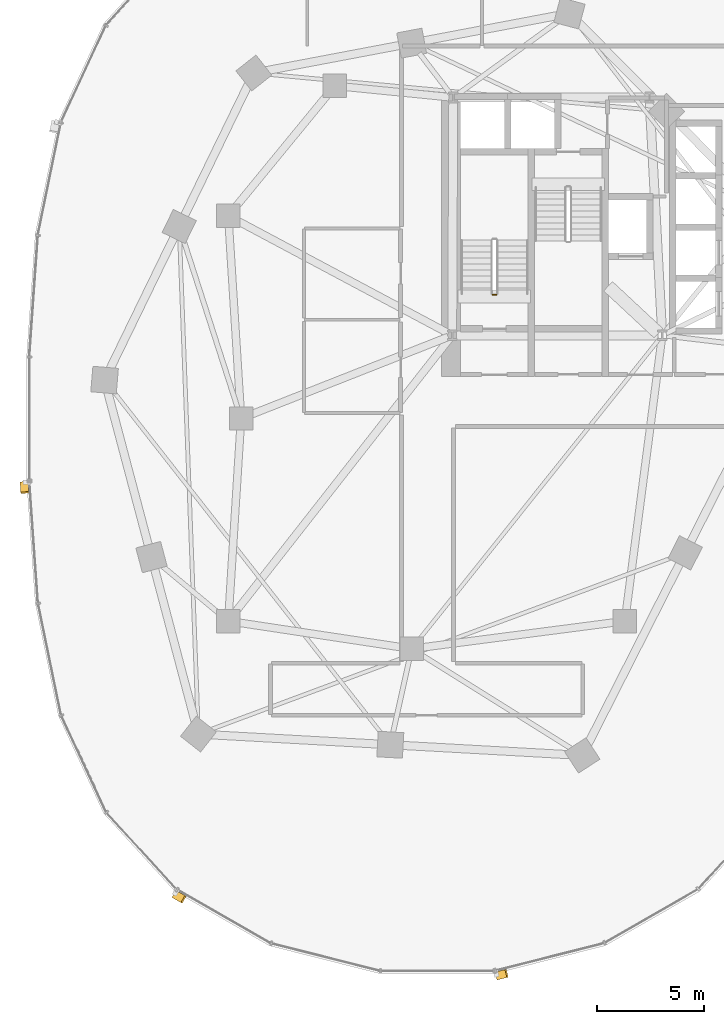
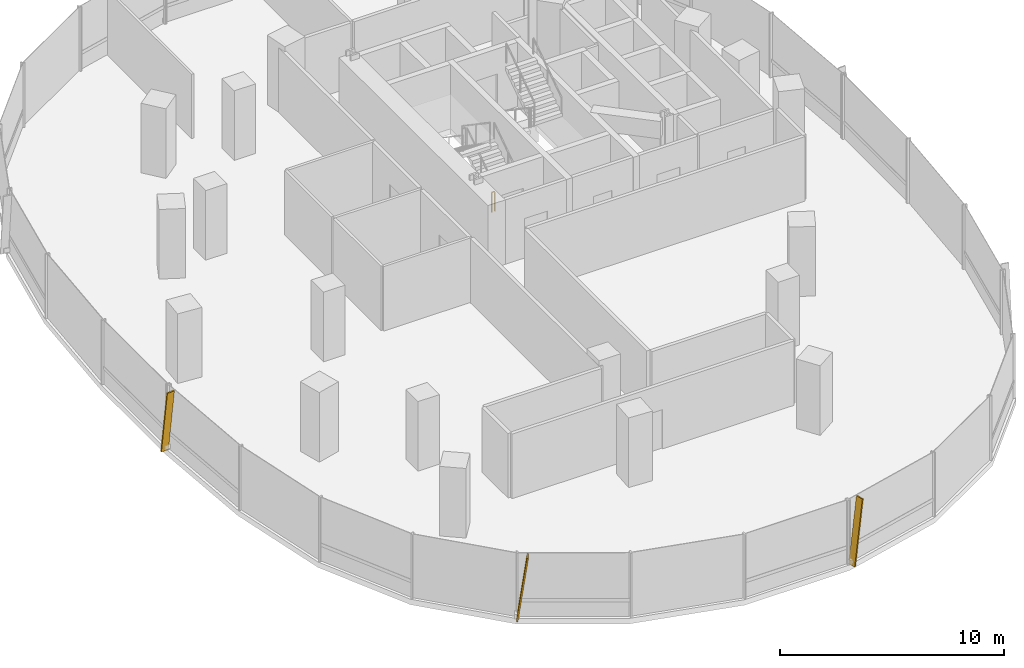
# One storey, part 17 of 21: 3 shading devices, 1 railing.
"""IFC4 building model written with IfcOpenShell, lengths in metres."""

import ifcopenshell
import ifcopenshell.guid

model = None  # the IFC model being written
_history = None  # IfcOwnerHistory: only IFC2X3 demands one
_inside = {}  # id of a spatial element -> (the spatial element, [elements in it])
_under = {}  # id of a project, library or spatial element -> (it, [spatial elements below it])
_declared = {}  # id of a project -> (the project, [libraries it declares])
_typed = {}  # id of a type object -> (the type object, [elements of that type])
_made_of = {}  # id of a material, layer set ... -> (it, [elements and type objects made of it])


def new_model(schema):
    """Start an empty IFC model of exactly this schema.

    Asked for "IFC4X3", IfcOpenShell would pick the latest addendum, in which some entities
    have other attributes; the version numbers below select the first issue.
    IFC2X3 requires an IfcOwnerHistory on every rooted entity: one is made here for all.
    """
    global model, _history
    if schema == "IFC4X3":
        model = ifcopenshell.file(schema_version=(4, 3, 0, 0))
    else:
        model = ifcopenshell.file(schema=schema)
    _inside.clear()
    _under.clear()
    _declared.clear()
    _typed.clear()
    _made_of.clear()
    _history = None
    if model.schema == "IFC2X3":
        org = make("IfcOrganization", Name="unknown")
        user = make(
            "IfcPersonAndOrganization",
            ThePerson=make("IfcPerson", FamilyName="unknown"),
            TheOrganization=org,
        )
        app = make(
            "IfcApplication",
            ApplicationDeveloper=org,
            Version="unknown",
            ApplicationFullName="unknown",
            ApplicationIdentifier="unknown",
        )
        _history = make(
            "IfcOwnerHistory",
            OwningUser=user,
            OwningApplication=app,
            ChangeAction="ADDED",
            CreationDate=0,
        )
    return model


def make(cls, **values):
    """One entity of the class cls with the attributes given. An attribute that is None is left unset."""
    return model.create_entity(
        cls, **{name: value for name, value in values.items() if value is not None}
    )


def rooted(cls, **values):
    """An entity with a GlobalId (a new one), such as an element, a storey or a relation."""
    return make(cls, GlobalId=ifcopenshell.guid.new(), OwnerHistory=_history, **values)


def si_unit(unit_type, name, prefix=None):
    """IfcSIUnit, for example si_unit("LENGTHUNIT", "METRE", prefix="MILLI")."""
    return make("IfcSIUnit", UnitType=unit_type, Prefix=prefix, Name=name)


def assignment(units):
    """IfcUnitAssignment: the units of a project."""
    return None if units is None else make("IfcUnitAssignment", Units=units)


def point(xyz):
    """IfcCartesianPoint."""
    return None if xyz is None else make("IfcCartesianPoint", Coordinates=xyz)


def direction(xyz):
    """IfcDirection."""
    return None if xyz is None else make("IfcDirection", DirectionRatios=xyz)


def frame(location, z_axis=None, x_axis=None):
    """IfcAxis2Placement3D, a coordinate frame: its origin and axes. An axis left out is left unset."""
    return make(
        "IfcAxis2Placement3D",
        Location=point(location),
        Axis=direction(z_axis),
        RefDirection=direction(x_axis),
    )


def frame_2d(location, x_axis=None):
    """IfcAxis2Placement2D, a coordinate frame in the plane: its origin and x axis."""
    return make(
        "IfcAxis2Placement2D", Location=point(location), RefDirection=direction(x_axis)
    )


def origin():
    """The frame at (0, 0, 0) with its axes left unset."""
    return frame((0.0, 0.0, 0.0))


def origin_2d():
    """The frame at (0, 0) in the plane with its x axis left unset."""
    return frame_2d((0.0, 0.0))


def place(relative_to, where):
    """IfcLocalPlacement: puts the frame where relative to a parent placement (None: the world)."""
    return make(
        "IfcLocalPlacement", PlacementRelTo=relative_to, RelativePlacement=where
    )


def context(
    kind, dimensions, precision=None, world=None, true_north=None, identifier=None
):
    """IfcGeometricRepresentationContext, for example the 3D "Model" context."""
    return make(
        "IfcGeometricRepresentationContext",
        ContextIdentifier=identifier,
        ContextType=kind,
        CoordinateSpaceDimension=dimensions,
        Precision=precision,
        WorldCoordinateSystem=world,
        TrueNorth=true_north,
    )


def subcontext(parent, identifier, kind, view, scale=None):
    """IfcGeometricRepresentationSubContext, for example "Body" below "Model"."""
    return make(
        "IfcGeometricRepresentationSubContext",
        ContextIdentifier=identifier,
        ContextType=kind,
        ParentContext=parent,
        TargetScale=scale,
        TargetView=view,
    )


def project(units=None, contexts=None):
    """IfcProject with its units and contexts."""
    return rooted(
        "IfcProject",
        Name="project",
        RepresentationContexts=contexts,
        UnitsInContext=assignment(units),
    )


def spatial(cls, under=None, at=None, **own):
    """A site, building, storey or space (cls), placed at a placement, below another one or the project."""
    s = rooted(cls, ObjectPlacement=at, **own)
    if under is not None:
        _under.setdefault(under.id(), (under, []))[1].append(s)
    return s


def profile(cls, at=None, kind="AREA", **sizes):
    """A parametric profile (cls). Its sizes go by their IFC names, for example OverallWidth=200.0."""
    return make(cls, ProfileType=kind, Position=at, **sizes)


def rectangle(**sizes):
    """IfcRectangleProfileDef."""
    return profile("IfcRectangleProfileDef", **sizes)


def extrude(swept, where, along, depth):
    """IfcExtrudedAreaSolid: the profile swept, set in the frame where, extruded along a direction by depth."""
    return make(
        "IfcExtrudedAreaSolid",
        SweptArea=swept,
        Position=where,
        ExtrudedDirection=direction(along),
        Depth=depth,
    )


def shape(context_of_items, identifier, shape_type, items):
    """IfcShapeRepresentation: the items that make up one representation, for example the "Body"."""
    return make(
        "IfcShapeRepresentation",
        ContextOfItems=context_of_items,
        RepresentationIdentifier=identifier,
        RepresentationType=shape_type,
        Items=items,
    )


def material(Name=None, Category=None):
    """IfcMaterial."""
    return make("IfcMaterial", Name=Name, Category=Category)


def material_profile(
    of_material, cross_section, Name=None, Category=None, Priority=None
):
    """IfcMaterialProfile: a cross section and its material."""
    return make(
        "IfcMaterialProfile",
        Name=Name,
        Material=of_material,
        Profile=cross_section,
        Priority=Priority,
        Category=Category,
    )


def profile_set(profiles, Name=None, composite=None):
    """IfcMaterialProfileSet."""
    return make(
        "IfcMaterialProfileSet",
        Name=Name,
        MaterialProfiles=profiles,
        CompositeProfile=composite,
    )


def made_of(thing, what):
    """Note that an element or type object is made of a material, layer set ...; save() writes the relation."""
    if what is not None:
        _made_of.setdefault(what.id(), (what, []))[1].append(thing)
    return thing


def type_object(cls, material=None, **own):
    """A type object (cls), such as IfcWallType, which elements share."""
    return made_of(rooted(cls, **own), material)


def element(
    cls,
    number,
    at=None,
    inside=None,
    cuts=None,
    type_object=None,
    material=None,
    context=None,
    identifier="Body",
    shape_type=None,
    held_by="IfcProductDefinitionShape",
    body=None,
    shapes=None,
    **own,
):
    """One element of the class cls, such as IfcWall. Its Tag is "e" and its number.

    at: its placement. inside: the storey or other place that contains it. cuts: it is an
    opening in that element (IfcRelVoidsElement). A single representation is given by context,
    identifier, shape_type and body (its items); several are given by shapes. held_by: the class
    of the entity that holds the representations. save() writes the other relations.
    """
    e = rooted(cls, Tag="e%d" % number, ObjectPlacement=at, **own)
    if body is not None:
        shapes = [shape(context, identifier, shape_type, body)]
    if shapes is not None:
        e.Representation = make(held_by, Representations=shapes)
    if inside is not None:
        _inside.setdefault(inside.id(), (inside, []))[1].append(e)
    if cuts is not None:
        rooted(
            "IfcRelVoidsElement", RelatingBuildingElement=cuts, RelatedOpeningElement=e
        )
    if type_object is not None:
        _typed.setdefault(type_object.id(), (type_object, []))[1].append(e)
    return made_of(e, material)


def aggregate(whole, parts):
    """IfcRelAggregates: a whole, such as a stair, and the parts it consists of."""
    return rooted("IfcRelAggregates", RelatingObject=whole, RelatedObjects=parts)


def save(model, path):
    """Write the relations noted so far, then the file.

    IfcRelAggregates (storeys below a building ...), IfcRelContainedInSpatialStructure (elements
    in a storey), IfcRelDefinesByType, IfcRelAssociatesMaterial and IfcRelDeclares: one each for
    every whole, place, type object, material and project.
    """
    for whole, parts in _under.values():
        aggregate(whole, parts)
    for where, things in _inside.values():
        rooted(
            "IfcRelContainedInSpatialStructure",
            RelatedElements=things,
            RelatingStructure=where,
        )
    for kind, things in _typed.values():
        rooted("IfcRelDefinesByType", RelatedObjects=things, RelatingType=kind)
    for what, things in _made_of.values():
        rooted("IfcRelAssociatesMaterial", RelatedObjects=things, RelatingMaterial=what)
    for by, libraries in _declared.values():
        rooted("IfcRelDeclares", RelatingContext=by, RelatedDefinitions=libraries)
    model.write(path)


model = new_model("IFC4")

# Units and contexts
model_context = context("Model", 3, precision=1e-05, world=origin(), true_north=direction((0.0, 1.0)))
body_context = subcontext(model_context, "Body", "Model", "MODEL_VIEW")
ifc_project = project(units=[si_unit("LENGTHUNIT", "METRE"), si_unit("AREAUNIT", "SQUARE_METRE"), si_unit("VOLUMEUNIT", "CUBIC_METRE"), si_unit("PLANEANGLEUNIT", "RADIAN"), si_unit("MASSUNIT", "GRAM", prefix="KILO"), si_unit("THERMODYNAMICTEMPERATUREUNIT", "KELVIN"), si_unit("POWERUNIT", "WATT")], contexts=[model_context])

# Site, building, storey
site_placement = place(None, origin())
site = spatial("IfcSite", under=ifc_project, at=site_placement, CompositionType="ELEMENT")
building_placement = place(site_placement, origin())
building = spatial("IfcBuilding", under=site, at=building_placement, Name="Cundina Bronze Exchange", CompositionType="ELEMENT")
storey_placement = place(building_placement, frame((0.0, 0.0, 73.39990234375)))
storey = spatial("IfcBuildingStorey", under=building, at=storey_placement, Name="L18", CompositionType="ELEMENT", Elevation=73.39990234375)

# Railing
ifc_material_1 = material(Name="Steel ASTM A36 Painted", Category="steel")
railing_type = type_object("IfcRailingType", Name="RLG-STG-1100", PredefinedType="GUARDRAIL", material=ifc_material_1)
railing_placement = place(storey_placement, frame((-29.239990234375, 5.800048828125, 0.0)))
element("IfcRailing", 1, at=railing_placement, inside=storey, type_object=railing_type, Name="L18 ST-W1 stair guard 4", PredefinedType="GUARDRAIL", context=body_context, shape_type="SweptSolid", body=[
    extrude(rectangle(XDim=0.048095703125, YDim=0.048095703125, at=origin_2d()), frame((0.0, 0.0, 1.076171875), z_axis=(-1.0, 0.0, 0.0), x_axis=(0.0, -1.0, 0.0)), (0.0, 0.0, 1.0), 0.159912109375),
    extrude(rectangle(XDim=0.0419921875, YDim=0.0419921875, at=origin_2d()), origin(), (0.0, 0.0, 1.0), 1.052001953125),
    extrude(rectangle(XDim=0.0419921875, YDim=0.0419921875, at=origin_2d()), frame((-0.159912109375, 0.0, 0.0)), (0.0, 0.0, 1.0), 1.052001953125),
])

# Shading devices
ifc_material_2 = material(Name="Anodised Bronze Aluminium 6063-T6", Category="aluminium")
ifc_material_profile = material_profile(ifc_material_2, rectangle(XDim=0.070068359375, YDim=0.3798828125, at=origin_2d()), Name="FIN70X380", Category="aluminium")
ifc_profile_set = profile_set([ifc_material_profile], Name="Anodised Bronze Aluminium 6063-T6")
shading_device_type = type_object("IfcShadingDeviceType", Name="SHD-FIN-BRZ380", PredefinedType="USERDEFINED", material=ifc_profile_set)
for number, where, z_axis, x_axis, name in (
    (2, (-51.3740234375, -2.993896484375, 0.02001953125), (0.009590711413, -0.136285399132, 0.990623191854), (-0.069540413612, 0.988179355741, 0.13662244238), "L18 Diagonal Bronze Solar Fin 1"),
    (3, (-44.314208984375, -22.314208984375, 0.02001953125), (0.118493676653, -0.068038304659, 0.990621036367), (-0.859074841637, 0.49327523165, 0.136638070491), "L18 Diagonal Bronze Solar Fin 5"),
    (4, (-29.212646484375, -26.138427734375, 0.02001953125), (0.132462823811, 0.033497943902, 0.990621768417), (-0.960388664093, -0.242868486932, 0.136632763046), "L18 Diagonal Bronze Solar Fin 1"),
):
    element("IfcShadingDevice", number, at=place(storey_placement, frame(where, z_axis=z_axis, x_axis=x_axis)), inside=storey, type_object=shading_device_type, Name=name, ObjectType="FIN", PredefinedType="USERDEFINED", context=body_context, shape_type="SweptSolid", body=[
        extrude(rectangle(XDim=0.070068359375, YDim=0.3798828125, at=origin_2d()), origin(), (0.0, 0.0, 1.0), 3.512939453125),
    ])

save(model, "model.ifc")
